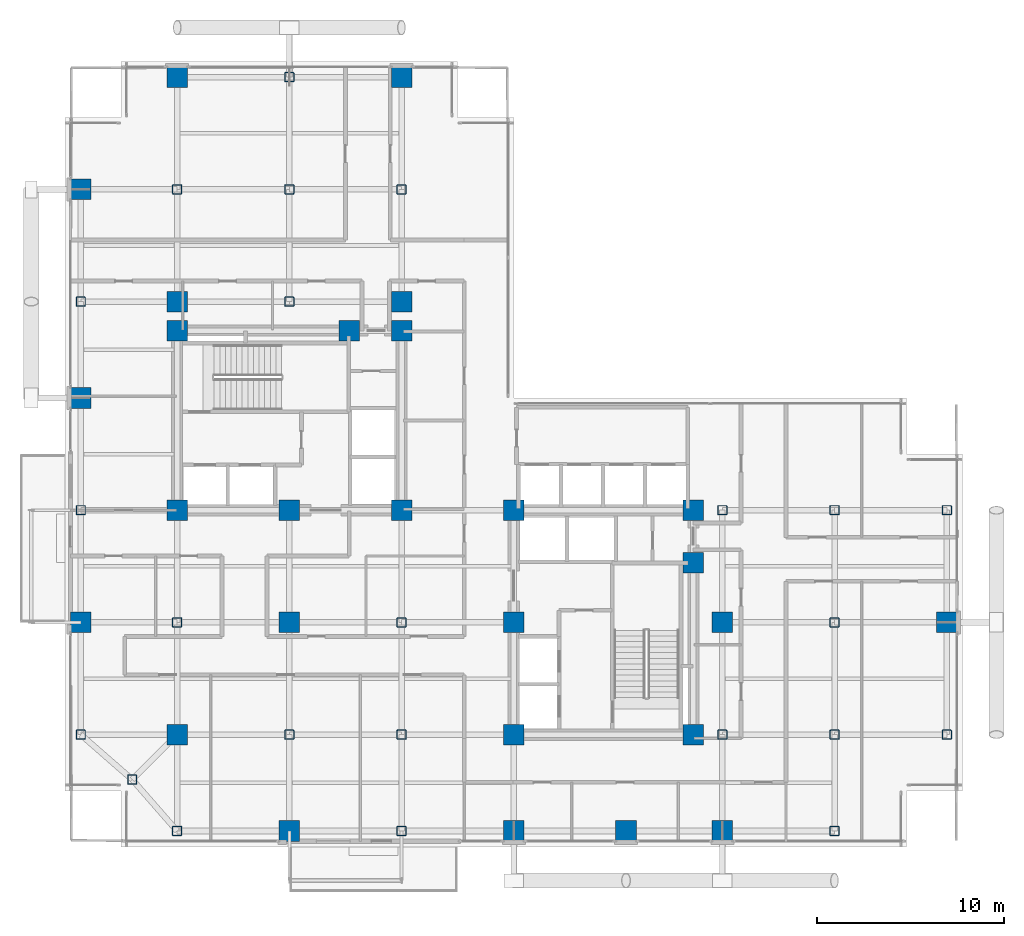
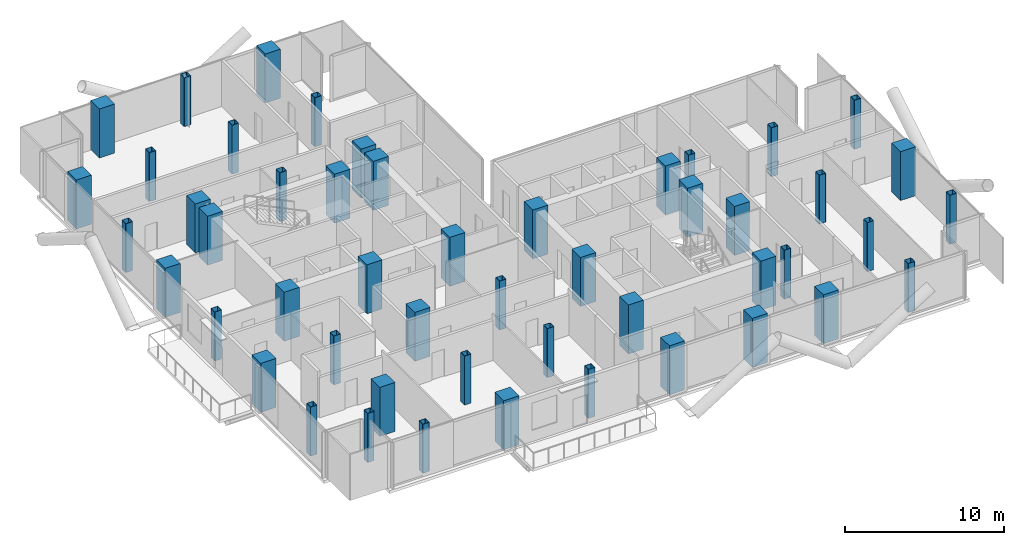
# One storey, part 1 of 24: 50 columns.
"""IFC4 building model written with IfcOpenShell, lengths in metres."""

from ifc_helpers import new_model, si_unit, direction, frame, origin, origin_2d, place, context, subcontext, project, spatial, rectangle, hollow_rectangle, extrude, material, material_profile, profile_set, type_object, element, save


model = new_model("IFC4")

# Units and contexts
model_context = context("Model", 3, precision=1e-05, world=origin(), true_north=direction((0.0, 1.0)))
body_context = subcontext(model_context, "Body", "Model", "MODEL_VIEW")
ifc_project = project(units=[si_unit("LENGTHUNIT", "METRE"), si_unit("AREAUNIT", "SQUARE_METRE"), si_unit("VOLUMEUNIT", "CUBIC_METRE"), si_unit("PLANEANGLEUNIT", "RADIAN"), si_unit("MASSUNIT", "GRAM", prefix="KILO"), si_unit("THERMODYNAMICTEMPERATUREUNIT", "KELVIN"), si_unit("POWERUNIT", "WATT")], contexts=[model_context])

# Site, building, storey
site_placement = place(None, origin())
site = spatial("IfcSite", under=ifc_project, at=site_placement, CompositionType="ELEMENT")
building_placement = place(site_placement, origin())
building = spatial("IfcBuilding", under=site, at=building_placement, Name="Svarakhadi Broadcast Tower", CompositionType="ELEMENT")
storey_placement = place(building_placement, frame((0.0, 0.0, 145.64990234375)))
storey = spatial("IfcBuildingStorey", under=building, at=storey_placement, Name="L35", CompositionType="ELEMENT", Elevation=145.64990234375)

# Columns
ifc_material_1 = material(Name="Concrete C50/60 (IS 456 M60)", Category="concrete")
ifc_material_profile_1 = material_profile(ifc_material_1, rectangle(XDim=1.10009765625, YDim=1.10009765625, at=origin_2d()), Name="RC 1100x1100")
ifc_profile_set_1 = profile_set([ifc_material_profile_1], Name="Concrete C50/60 (IS 456 M60)")
column_type_1 = type_object("IfcColumnType", Name="Col_RC1100", PredefinedType="COLUMN", material=ifc_profile_set_1)
for number, where, z_axis, x_axis, name in (
    (1, (6.0, 18.0, 0.0), (0.0, 0.0, 1.0), (1.0, 0.0, 0.0), "L35 Column CW1"),
    (2, (12.0, 18.0, 0.0), (0.0, 0.0, 1.0), (1.0, 0.0, 0.0), "L35 Column CW2"),
    (3, (18.0, 18.0, 0.0), (0.0, 0.0, 1.0), (1.0, 0.0, 0.0), "L35 Column CW3"),
    (4, (6.0, 27.60009765625, 0.0), (0.0, 0.0, 1.0), (1.0, 0.0, 0.0), "L35 Column CW4"),
    (5, (15.199951171875, 27.60009765625, 0.0), (0.0, 0.0, 1.0), (1.0, 0.0, 0.0), "L35 Column CW5"),
    (6, (18.0, 27.60009765625, 0.0), (0.0, 0.0, 1.0), (1.0, 0.0, 0.0), "L35 Column CW6"),
    (7, (24.0, 6.0, 0.0), (0.0, 0.0, 1.0), (1.0, 0.0, 0.0), "L35 Column CE1"),
    (8, (24.0, 12.0, 0.0), (0.0, 0.0, 1.0), (1.0, 0.0, 0.0), "L35 Column CE2"),
    (9, (24.0, 18.0, 0.0), (0.0, 0.0, 1.0), (1.0, 0.0, 0.0), "L35 Column CE3"),
    (10, (33.60009765625, 6.0, 0.0), (0.0, 0.0, 1.0), (1.0, 0.0, 0.0), "L35 Column CE4"),
    (11, (33.60009765625, 15.199951171875, 0.0), (0.0, 0.0, 1.0), (1.0, 0.0, 0.0), "L35 Column CE5"),
    (12, (33.60009765625, 18.0, 0.0), (0.0, 0.0, 1.0), (1.0, 0.0, 0.0), "L35 Column CE6"),
    (13, (0.85009765625, 12.0, 0.0), (0.0, 0.0, 1.0), (1.0, 0.0, 0.0), "L35 Column G04"),
    (14, (0.85009765625, 24.0, 0.0), (0.0, 0.0, 1.0), (1.0, 0.0, 0.0), "L35 Column G06"),
    (15, (0.85009765625, 35.14990234375, 0.0), (0.0, 0.0, 1.0), (1.0, 0.0, 0.0), "L35 Column G08"),
    (16, (6.0, 6.0, 0.0), (0.0, 0.0, 1.0), (1.0, 0.0, 0.0), "L35 Column G12"),
    (17, (6.0, 29.14990234375, 0.0), (0.0, 0.0, 1.0), (1.0, 0.0, 0.0), "L35 Column G14"),
    (18, (6.0, 41.14990234375, 0.0), (0.0, 0.0, 1.0), (1.0, 0.0, 0.0), "L35 Column G16"),
    (19, (12.0, 0.85009765625, 0.0), (0.0, 0.0, 1.0), (1.0, 0.0, 0.0), "L35 Column G18"),
    (20, (12.0, 12.0, 0.0), (0.0, 0.0, 1.0), (1.0, 0.0, 0.0), "L35 Column G20"),
    (21, (18.0, 29.14990234375, 0.0), (0.0, 0.0, 1.0), (1.0, 0.0, 0.0), "L35 Column G28"),
    (22, (18.0, 41.14990234375, 0.0), (0.0, 0.0, 1.0), (1.0, 0.0, 0.0), "L35 Column G30"),
    (23, (24.0, 0.85009765625, 0.0), (0.0, 0.0, 1.0), (1.0, 0.0, 0.0), "L35 Column G32"),
    (24, (30.0, 0.85009765625, 0.0), (0.0, 0.0, 1.0), (1.0, 0.0, 0.0), "L35 Column G36"),
    (25, (35.14990234375, 0.85009765625, 0.0), (0.0, 0.0, 1.0), (1.0, 0.0, 0.0), "L35 Column G38"),
    (26, (35.14990234375, 12.0, 0.0), (0.0, 0.0, 1.0), (1.0, 0.0, 0.0), "L35 Column G40"),
    (27, (47.14990234375, 12.0, 0.0), (0.0, 0.0, 1.0), (1.0, 0.0, 0.0), "L35 Column G52"),
):
    element("IfcColumn", number, at=place(storey_placement, frame(where, z_axis=z_axis, x_axis=x_axis)), inside=storey, type_object=column_type_1, Name=name, PredefinedType="COLUMN", context=body_context, shape_type="SweptSolid", body=[
        extrude(rectangle(XDim=1.10009765625, YDim=1.10009765625, at=origin_2d()), origin(), (0.0, 0.0, 1.0), 3.75),
    ])
ifc_material_2 = material(Name="Steel S460ML (IS 2062 E450BR)", Category="steel")
ifc_material_profile_2 = material_profile(ifc_material_2, hollow_rectangle(XDim=0.5, YDim=0.5, WallThickness=0.02490234375, InnerFilletRadius=0.02490234375, OuterFilletRadius=0.0400390625, at=origin_2d()), Name="SHS 500x500x25")
ifc_profile_set_2 = profile_set([ifc_material_profile_2], Name="Steel S460ML (IS 2062 E450BR)")
column_type_2 = type_object("IfcColumnType", Name="Col_SHS500", PredefinedType="COLUMN", material=ifc_profile_set_2)
for number, where, z_axis, x_axis, name in (
    (28, (3.60009765625, 3.60009765625, 0.0), (0.0, 0.0, 1.0), (1.0, 0.0, 0.0), "L35 Column G01"),
    (29, (0.85009765625, 6.0, 0.0), (0.0, 0.0, 1.0), (1.0, 0.0, 0.0), "L35 Column G03"),
    (30, (0.85009765625, 18.0, 0.0), (0.0, 0.0, 1.0), (1.0, 0.0, 0.0), "L35 Column G05"),
    (31, (0.85009765625, 29.14990234375, 0.0), (0.0, 0.0, 1.0), (1.0, 0.0, 0.0), "L35 Column G07"),
    (32, (6.0, 0.85009765625, 0.0), (0.0, 0.0, 1.0), (1.0, 0.0, 0.0), "L35 Column G11"),
    (33, (6.0, 12.0, 0.0), (0.0, 0.0, 1.0), (1.0, 0.0, 0.0), "L35 Column G13"),
    (34, (6.0, 35.14990234375, 0.0), (0.0, 0.0, 1.0), (1.0, 0.0, 0.0), "L35 Column G15"),
    (35, (12.0, 6.0, 0.0), (0.0, 0.0, 1.0), (1.0, 0.0, 0.0), "L35 Column G19"),
    (36, (12.0, 29.14990234375, 0.0), (0.0, 0.0, 1.0), (1.0, 0.0, 0.0), "L35 Column G21"),
    (37, (12.0, 35.14990234375, 0.0), (0.0, 0.0, 1.0), (1.0, 0.0, 0.0), "L35 Column G22"),
    (38, (12.0, 41.14990234375, 0.0), (0.0, 0.0, 1.0), (1.0, 0.0, 0.0), "L35 Column G23"),
    (39, (18.0, 0.85009765625, 0.0), (0.0, 0.0, 1.0), (1.0, 0.0, 0.0), "L35 Column G25"),
    (40, (18.0, 6.0, 0.0), (0.0, 0.0, 1.0), (1.0, 0.0, 0.0), "L35 Column G26"),
    (41, (18.0, 12.0, 0.0), (0.0, 0.0, 1.0), (1.0, 0.0, 0.0), "L35 Column G27"),
    (42, (18.0, 35.14990234375, 0.0), (0.0, 0.0, 1.0), (1.0, 0.0, 0.0), "L35 Column G29"),
    (43, (35.14990234375, 6.0, 0.0), (0.0, 0.0, 1.0), (1.0, 0.0, 0.0), "L35 Column G39"),
    (44, (35.14990234375, 18.0, 0.0), (0.0, 0.0, 1.0), (1.0, 0.0, 0.0), "L35 Column G41"),
    (45, (41.14990234375, 0.85009765625, 0.0), (0.0, 0.0, 1.0), (1.0, 0.0, 0.0), "L35 Column G43"),
    (46, (41.14990234375, 6.0, 0.0), (0.0, 0.0, 1.0), (1.0, 0.0, 0.0), "L35 Column G44"),
    (47, (41.14990234375, 12.0, 0.0), (0.0, 0.0, 1.0), (1.0, 0.0, 0.0), "L35 Column G45"),
    (48, (41.14990234375, 18.0, 0.0), (0.0, 0.0, 1.0), (1.0, 0.0, 0.0), "L35 Column G46"),
    (49, (47.14990234375, 6.0, 0.0), (0.0, 0.0, 1.0), (1.0, 0.0, 0.0), "L35 Column G51"),
    (50, (47.14990234375, 18.0, 0.0), (0.0, 0.0, 1.0), (1.0, 0.0, 0.0), "L35 Column G53"),
):
    element("IfcColumn", number, at=place(storey_placement, frame(where, z_axis=z_axis, x_axis=x_axis)), inside=storey, type_object=column_type_2, Name=name, PredefinedType="COLUMN", context=body_context, shape_type="SweptSolid", body=[
        extrude(hollow_rectangle(XDim=0.5, YDim=0.5, WallThickness=0.02490234375, InnerFilletRadius=0.02490234375, OuterFilletRadius=0.0400390625, at=origin_2d()), origin(), (0.0, 0.0, 1.0), 3.75),
    ])

save(model, "model.ifc")
